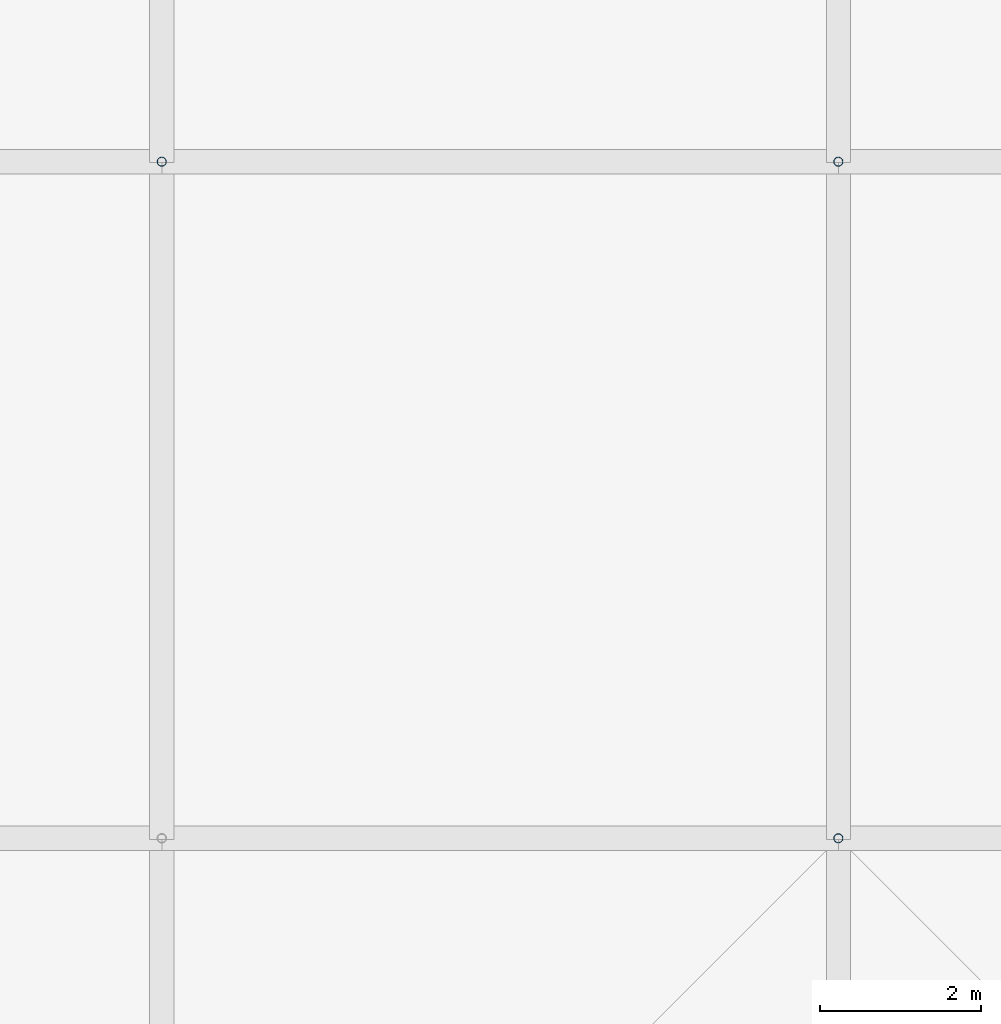
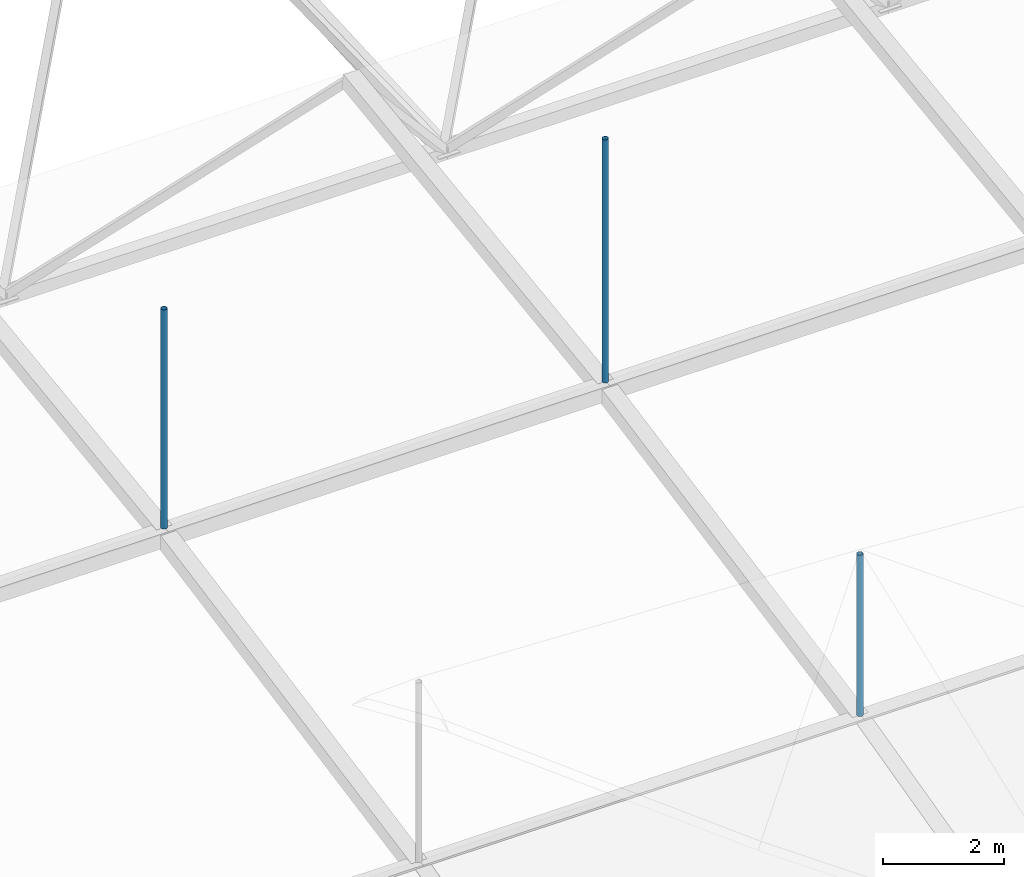
# One storey, part 25 of 111: 3 discrete accessories.
"""IFC4 building model written with IfcOpenShell, lengths in metres."""

from ifc_helpers import new_model, si_unit, direction, frame, origin, origin_2d, place, context, subcontext, project, spatial, hollow_circle, extrude, material, material_profile, profile_set, type_object, element, save


model = new_model("IFC4")

# Units and contexts
model_context = context("Model", 3, precision=1e-05, world=origin(), true_north=direction((0.0, 1.0)))
body_context = subcontext(model_context, "Body", "Model", "MODEL_VIEW")
ifc_project = project(units=[si_unit("LENGTHUNIT", "METRE"), si_unit("AREAUNIT", "SQUARE_METRE"), si_unit("VOLUMEUNIT", "CUBIC_METRE"), si_unit("PLANEANGLEUNIT", "RADIAN"), si_unit("MASSUNIT", "GRAM", prefix="KILO")], contexts=[model_context])

# Site, building, storey
site_placement = place(None, origin())
site = spatial("IfcSite", under=ifc_project, at=site_placement, CompositionType="ELEMENT")
building_placement = place(site_placement, origin())
building = spatial("IfcBuilding", under=site, at=building_placement, Name="Rain Tree Exposition and Congress Centre", CompositionType="ELEMENT")
storey_placement = place(building_placement, frame((0.0, 0.0, 19.5)))
storey = spatial("IfcBuildingStorey", under=building, at=storey_placement, Name="RF", CompositionType="ELEMENT", Elevation=19.5)

# Discrete accessories
ifc_material = material(Name="Steel S355J2H", Category="steel")
ifc_material_profile = material_profile(ifc_material, hollow_circle(Radius=0.05712890625, WallThickness=0.00439453125, at=origin_2d()), Name="CHS 114x4.5")
ifc_profile_set = profile_set([ifc_material_profile], Name="Steel S355J2H")
discrete_accessory_type = type_object("IfcDiscreteAccessoryType", Name="Roof skin post CHS 114x4.5", PredefinedType="BRACKET", material=ifc_profile_set)
discrete_accessory_1_placement = place(storey_placement, frame((25.199951171875, 117.60009765625, 3.22412109375), z_axis=(0.0, 0.0, 1.0), x_axis=(1.0, 0.0, 0.0)))
element("IfcDiscreteAccessory", 1, at=discrete_accessory_1_placement, inside=storey, type_object=discrete_accessory_type, Name="Roof skin post A33", PredefinedType="BRACKET", context=body_context, shape_type="SweptSolid", body=[
    extrude(hollow_circle(Radius=0.05712890625, WallThickness=0.00439453125, at=origin_2d()), origin(), (0.0, 0.0, 1.0), 3.24462890625),
])
discrete_accessory_2_placement = place(storey_placement, frame((16.800048828125, 126.0, 4.843017578125), z_axis=(0.0, 0.0, 1.0), x_axis=(1.0, 0.0, 0.0)))
element("IfcDiscreteAccessory", 2, at=discrete_accessory_2_placement, inside=storey, type_object=discrete_accessory_type, Name="Roof skin post A47", PredefinedType="BRACKET", context=body_context, shape_type="SweptSolid", body=[
    extrude(hollow_circle(Radius=0.05712890625, WallThickness=0.00439453125, at=origin_2d()), origin(), (0.0, 0.0, 1.0), 4.412109375),
])
discrete_accessory_3_placement = place(storey_placement, frame((25.199951171875, 126.0, 4.843017578125), z_axis=(0.0, 0.0, 1.0), x_axis=(1.0, 0.0, 0.0)))
element("IfcDiscreteAccessory", 3, at=discrete_accessory_3_placement, inside=storey, type_object=discrete_accessory_type, Name="Roof skin post A48", PredefinedType="BRACKET", context=body_context, shape_type="SweptSolid", body=[
    extrude(hollow_circle(Radius=0.05712890625, WallThickness=0.00439453125, at=origin_2d()), origin(), (0.0, 0.0, 1.0), 4.89208984375),
])

save(model, "model.ifc")
